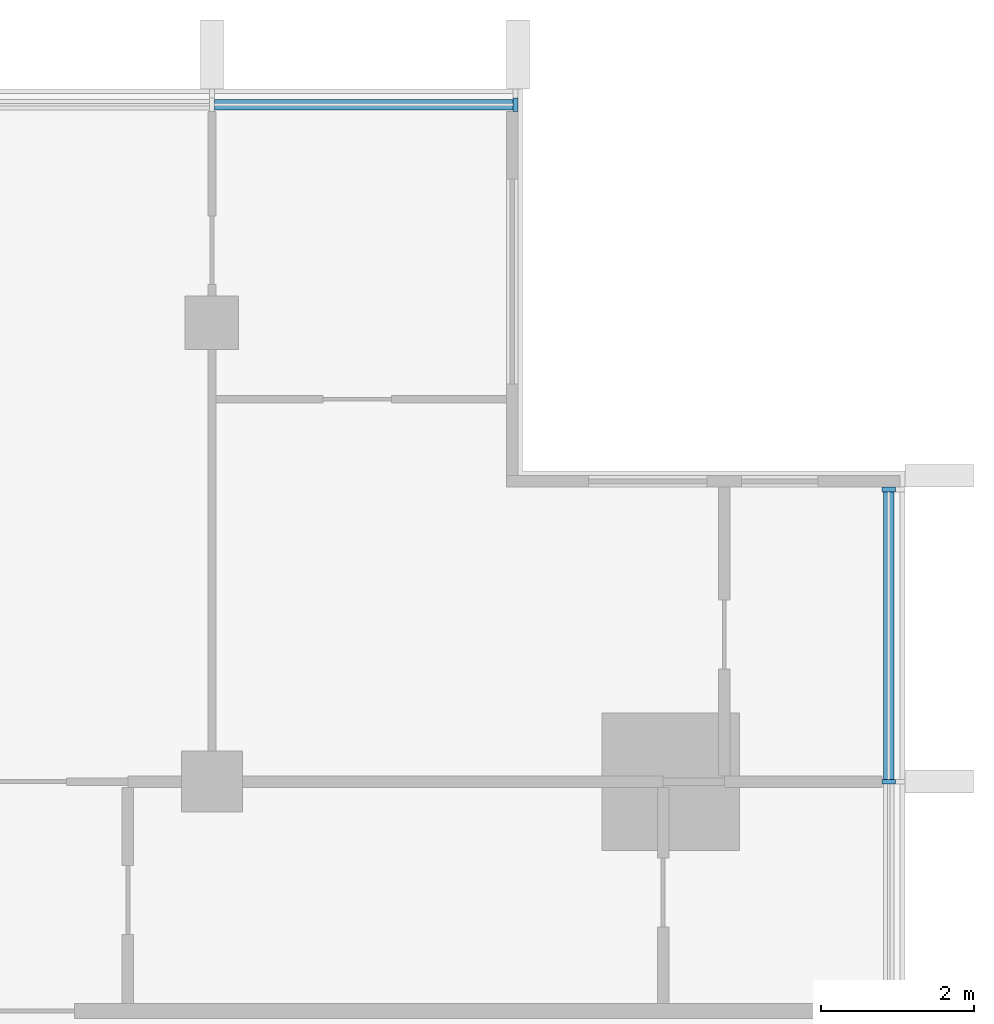
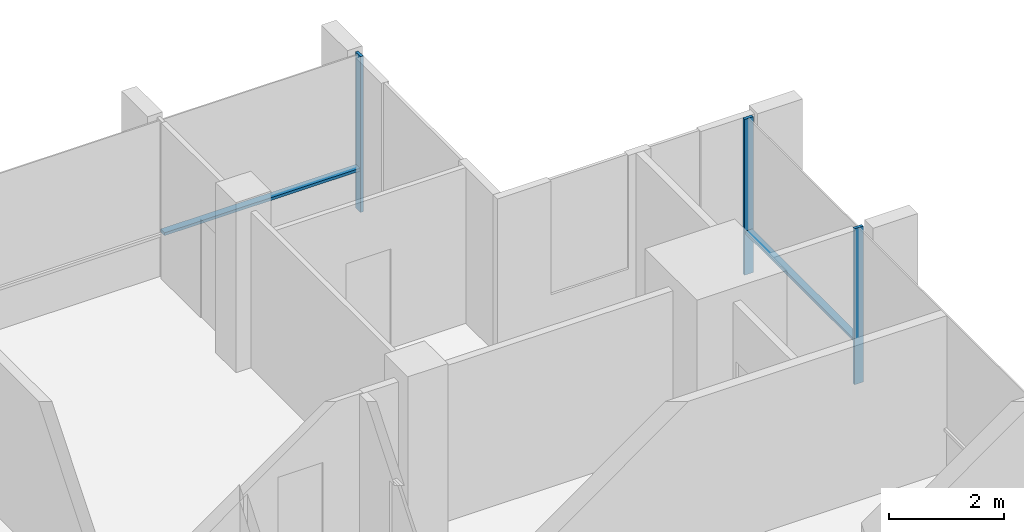
# One storey, part 5 of 16: 5 members, 2 elements without a shape of their own.
"""IFC4 building model written with IfcOpenShell, lengths in metres."""

from ifc_helpers import new_model, si_unit, direction, frame, origin, origin_2d, place, context, subcontext, project, spatial, rectangle, extrude, material, material_profile, profile_set, type_object, element, aggregate, save


model = new_model("IFC4")

# Units and contexts
model_context = context("Model", 3, precision=1e-05, world=origin(), true_north=direction((0.0, 1.0)))
body_context = subcontext(model_context, "Body", "Model", "MODEL_VIEW")
ifc_project = project(units=[si_unit("LENGTHUNIT", "METRE"), si_unit("AREAUNIT", "SQUARE_METRE"), si_unit("VOLUMEUNIT", "CUBIC_METRE"), si_unit("PLANEANGLEUNIT", "RADIAN"), si_unit("MASSUNIT", "GRAM", prefix="KILO")], contexts=[model_context])

# Site, building, storey
site_placement = place(None, origin())
site = spatial("IfcSite", under=ifc_project, at=site_placement, CompositionType="ELEMENT")
building_placement = place(site_placement, origin())
building = spatial("IfcBuilding", under=site, at=building_placement, Name="Finial Court Residences", CompositionType="ELEMENT")
storey_placement = place(building_placement, frame((0.0, 0.0, 277.10009765625)))
storey = spatial("IfcBuildingStorey", under=building, at=storey_placement, Name="L70", CompositionType="ELEMENT", Elevation=277.10009765625)

# Curtain wall, member
ifc_material = material(Name="Bronze anodised aluminium", Category="aluminium")
curtain_wall_type = type_object("IfcCurtainWallType", Name="Unitised curtain wall, upper zones", PredefinedType="NOTDEFINED", material=ifc_material)
curtain_wall_1_placement = place(storey_placement, origin())
curtain_wall_1 = element("IfcCurtainWall", 1, at=curtain_wall_1_placement, inside=storey, type_object=curtain_wall_type, Name="E-L70-CW-N3", PredefinedType="NOTDEFINED")
ifc_material_profile_1 = material_profile(ifc_material, rectangle(XDim=0.175048828125, YDim=0.06005859375, at=origin_2d()), Name="CW2 mullion 60 x 175")
ifc_profile_set_1 = profile_set([ifc_material_profile_1], Name="Bronze anodised aluminium")
member_type_1 = type_object("IfcMemberType", Name="CW2 mullion 60 x 175", PredefinedType="MULLION", material=ifc_profile_set_1)
member_1_placement = place(storey_placement, frame((14.469970703125, 16.35009765625, 0.0), z_axis=(0.0, 0.0, 1.0), x_axis=(0.0, 1.0, 0.0)))
member_1 = element("IfcMember", 2, at=member_1_placement, type_object=member_type_1, Name="CW2 mullion 3", PredefinedType="MULLION", context=body_context, shape_type="SweptSolid", body=[
    extrude(rectangle(XDim=0.175048828125, YDim=0.06005859375, at=origin_2d()), origin(), (0.0, 0.0, 1.0), 3.2998046875),
])

# Curtain wall, members
curtain_wall_2_placement = place(storey_placement, origin())
curtain_wall_2 = element("IfcCurtainWall", 3, at=curtain_wall_2_placement, inside=storey, type_object=curtain_wall_type, Name="E-L70-CW-E6", PredefinedType="NOTDEFINED")
member_2_placement = place(storey_placement, frame((19.35009765625, 7.5, 0.0), z_axis=(0.0, 0.0, 1.0), x_axis=(-1.0, 0.0, 0.0)))
member_2 = element("IfcMember", 4, at=member_2_placement, type_object=member_type_1, Name="CW2 mullion 3", PredefinedType="MULLION", context=body_context, shape_type="SweptSolid", body=[
    extrude(rectangle(XDim=0.175048828125, YDim=0.06005859375, at=origin_2d()), origin(), (0.0, 0.0, 1.0), 3.2998046875),
])
member_3_placement = place(storey_placement, frame((19.35009765625, 11.320068359375, 0.0), z_axis=(0.0, 0.0, 1.0), x_axis=(-1.0, 0.0, 0.0)))
member_3 = element("IfcMember", 5, at=member_3_placement, type_object=member_type_1, Name="CW2 mullion 4", PredefinedType="MULLION", context=body_context, shape_type="SweptSolid", body=[
    extrude(rectangle(XDim=0.175048828125, YDim=0.06005859375, at=origin_2d()), origin(), (0.0, 0.0, 1.0), 3.2998046875),
])

# Member
ifc_material_profile_2 = material_profile(ifc_material, rectangle(XDim=0.139892578125, YDim=0.06005859375, at=origin_2d()), Name="CW2 transom 60 x 140")
ifc_profile_set_2 = profile_set([ifc_material_profile_2], Name="Bronze anodised aluminium")
member_type_2 = type_object("IfcMemberType", Name="CW2 transom 60 x 140", PredefinedType="USERDEFINED", material=ifc_profile_set_2)
member_4_placement = place(storey_placement, frame((10.530029296875, 16.35009765625, 0.89990234375), z_axis=(1.0, 0.0, 0.0), x_axis=(0.0, 1.0, 0.0)))
member_4 = element("IfcMember", 6, at=member_4_placement, type_object=member_type_2, Name="CW2 transom 2.1", ObjectType="TRANSOM", PredefinedType="USERDEFINED", context=body_context, shape_type="SweptSolid", body=[
    extrude(rectangle(XDim=0.139892578125, YDim=0.06005859375, at=origin_2d()), origin(), (0.0, 0.0, 1.0), 3.909912109375),
])

aggregate(curtain_wall_1, [member_1, member_4])

member_5_placement = place(storey_placement, frame((19.35009765625, 7.530029296875, 0.89990234375), z_axis=(0.0, 1.0, 0.0), x_axis=(-1.0, 0.0, 0.0)))
member_5 = element("IfcMember", 7, at=member_5_placement, type_object=member_type_2, Name="CW2 transom 3.1", ObjectType="TRANSOM", PredefinedType="USERDEFINED", context=body_context, shape_type="SweptSolid", body=[
    extrude(rectangle(XDim=0.139892578125, YDim=0.06005859375, at=origin_2d()), origin(), (0.0, 0.0, 1.0), 3.760009765625),
])

aggregate(curtain_wall_2, [member_2, member_3, member_5])

save(model, "model.ifc")
